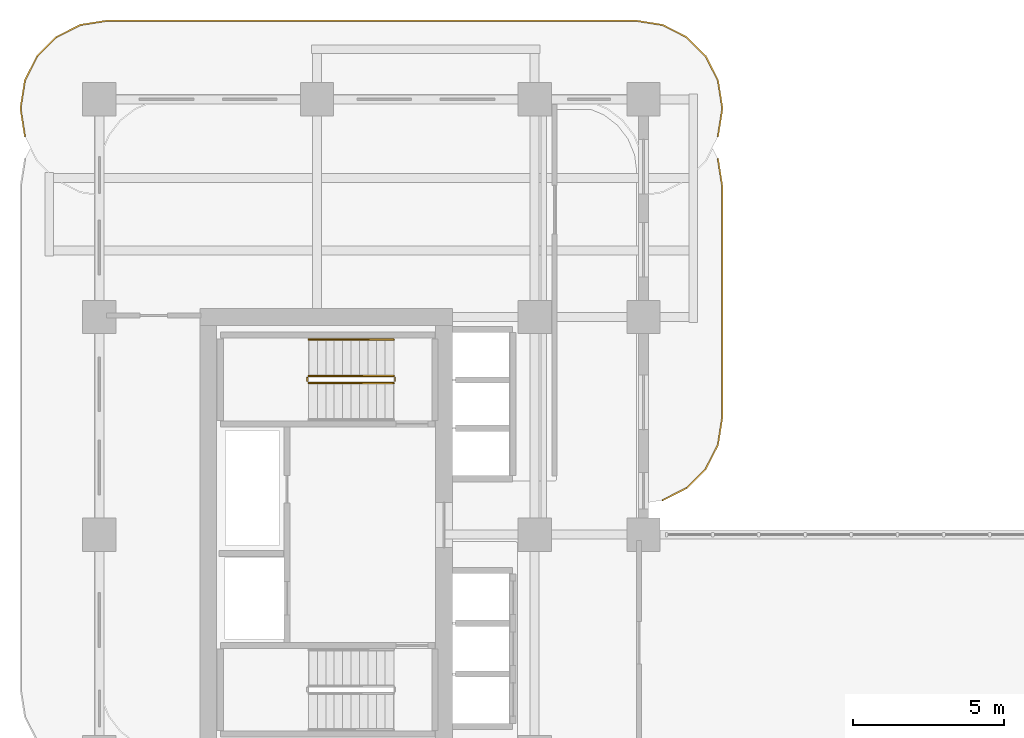
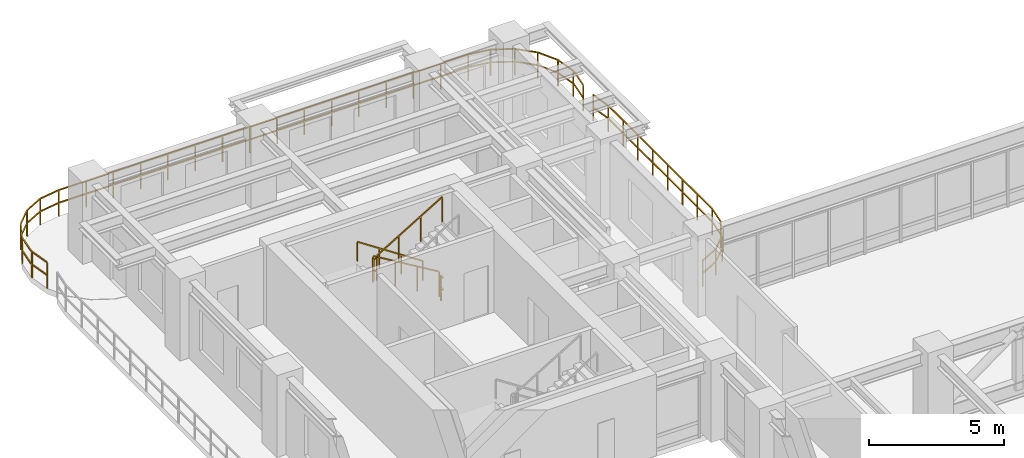
# One storey, part 21 of 21: 7 railings.
"""IFC4 building model written with IfcOpenShell, lengths in metres."""

from ifc_helpers import new_model, si_unit, derived_unit, direction, frame, origin, origin_2d, place, context, subcontext, project, spatial, rectangle, extrude, material, type_object, element, save


model = new_model("IFC4")

# Units and contexts
model_context = context("Model", 3, precision=1e-05, world=origin(), true_north=direction((0.0, 1.0)))
body_context = subcontext(model_context, "Body", "Model", "MODEL_VIEW")
ifc_project = project(units=[si_unit("LENGTHUNIT", "METRE"), si_unit("AREAUNIT", "SQUARE_METRE"), si_unit("VOLUMEUNIT", "CUBIC_METRE"), si_unit("PLANEANGLEUNIT", "RADIAN"), si_unit("MASSUNIT", "GRAM", prefix="KILO"), si_unit("THERMODYNAMICTEMPERATUREUNIT", "KELVIN"), si_unit("POWERUNIT", "WATT"), derived_unit("THERMALTRANSMITTANCEUNIT", [(si_unit("POWERUNIT", "WATT"), 1), (si_unit("AREAUNIT", "SQUARE_METRE"), -1), (si_unit("THERMODYNAMICTEMPERATUREUNIT", "KELVIN"), -1)])], contexts=[model_context])

# Site, building, storey
site_placement = place(None, origin())
site = spatial("IfcSite", under=ifc_project, at=site_placement, CompositionType="ELEMENT")
building_placement = place(site_placement, origin())
building = spatial("IfcBuilding", under=site, at=building_placement, Name="Zahravan Archway Hotel and Residences", CompositionType="ELEMENT")
storey_placement = place(building_placement, frame((0.0, 0.0, 69.39990234375)))
storey = spatial("IfcBuildingStorey", under=building, at=storey_placement, Name="L16", CompositionType="ELEMENT", Elevation=69.39990234375)

# Railings
ifc_material_1 = material(Name="Bronze & Laminated Glass Balustrade", Category="glass")
railing_type_1 = type_object("IfcRailingType", Name="RL-BAL-1200", PredefinedType="BALUSTRADE", material=ifc_material_1)
railing_1_placement = place(storey_placement, frame((-2.46044921875, 45.5693359375, 0.0)))
element("IfcRailing", 1, at=railing_1_placement, inside=storey, type_object=railing_type_1, Name="L16 Balustrade RL-SLB-BAL-L16-NB-1", PredefinedType="BALUSTRADE", context=body_context, shape_type="SweptSolid", body=[
    extrude(rectangle(XDim=0.048095703125, YDim=0.048095703125, at=origin_2d()), frame((0.0, 0.0, 1.17578125), z_axis=(-0.156623399917, 0.987658397726, 0.0), x_axis=(-0.987658397726, -0.156623399917, 0.0)), (0.0, 0.0, 1.0), 0.8916015625),
    extrude(rectangle(XDim=0.048095703125, YDim=0.048095703125, at=origin_2d()), frame((0.0, 0.0, 0.60009765625), z_axis=(-0.156623399917, 0.987658397726, 0.0), x_axis=(-0.987658397726, -0.156623399917, 0.0)), (0.0, 0.0, 1.0), 0.8916015625),
    extrude(rectangle(XDim=0.048095703125, YDim=0.048095703125, at=origin_2d()), frame((-0.1396484375, 0.880615234375, 1.17578125), z_axis=(0.0, 1.0, 0.0), x_axis=(-1.0, 0.0, 0.0)), (0.0, 0.0, 1.0), 0.10009765625),
    extrude(rectangle(XDim=0.048095703125, YDim=0.048095703125, at=origin_2d()), frame((-0.1396484375, 0.880615234375, 0.60009765625), z_axis=(0.0, 1.0, 0.0), x_axis=(-1.0, 0.0, 0.0)), (0.0, 0.0, 1.0), 0.10009765625),
    extrude(rectangle(XDim=0.048095703125, YDim=0.048095703125, at=origin_2d()), frame((-0.1396484375, 0.980712890625, 1.17578125), z_axis=(0.156623399917, 0.987658397726, 0.0), x_axis=(-0.987658397726, 0.156623399917, 0.0)), (0.0, 0.0, 1.0), 0.8916015625),
    extrude(rectangle(XDim=0.048095703125, YDim=0.048095703125, at=origin_2d()), frame((-0.1396484375, 0.980712890625, 0.60009765625), z_axis=(0.156623399917, 0.987658397726, 0.0), x_axis=(-0.987658397726, 0.156623399917, 0.0)), (0.0, 0.0, 1.0), 0.8916015625),
    extrude(rectangle(XDim=0.048095703125, YDim=0.048095703125, at=origin_2d()), frame((0.0, 1.861328125, 1.17578125), z_axis=(0.453991409995, 0.891006060389, 0.0), x_axis=(-0.891006060389, 0.453991409995, 0.0)), (0.0, 0.0, 1.0), 0.8916015625),
    extrude(rectangle(XDim=0.048095703125, YDim=0.048095703125, at=origin_2d()), frame((0.0, 1.861328125, 0.60009765625), z_axis=(0.453991409995, 0.891006060389, 0.0), x_axis=(-0.891006060389, 0.453991409995, 0.0)), (0.0, 0.0, 1.0), 0.8916015625),
    extrude(rectangle(XDim=0.048095703125, YDim=0.048095703125, at=origin_2d()), frame((0.40478515625, 2.65576171875, 1.17578125), z_axis=(0.706969864397, 0.70724367147, 0.0), x_axis=(-0.70724367147, 0.706969864397, 0.0)), (0.0, 0.0, 1.0), 0.8916015625),
    extrude(rectangle(XDim=0.048095703125, YDim=0.048095703125, at=origin_2d()), frame((0.40478515625, 2.65576171875, 0.60009765625), z_axis=(0.706969864397, 0.70724367147, 0.0), x_axis=(-0.70724367147, 0.706969864397, 0.0)), (0.0, 0.0, 1.0), 0.8916015625),
    extrude(rectangle(XDim=0.048095703125, YDim=0.048095703125, at=origin_2d()), frame((1.03515625, 3.286376953125, 1.17578125), z_axis=(0.891062476022, 0.45388067135, 0.0), x_axis=(-0.45388067135, 0.891062476022, 0.0)), (0.0, 0.0, 1.0), 0.891845703125),
    extrude(rectangle(XDim=0.048095703125, YDim=0.048095703125, at=origin_2d()), frame((1.03515625, 3.286376953125, 0.60009765625), z_axis=(0.891062476022, 0.45388067135, 0.0), x_axis=(-0.45388067135, 0.891062476022, 0.0)), (0.0, 0.0, 1.0), 0.891845703125),
    extrude(rectangle(XDim=0.048095703125, YDim=0.048095703125, at=origin_2d()), frame((1.829833984375, 3.691162109375, 1.17578125), z_axis=(0.987700720307, 0.156356282588, 0.0), x_axis=(-0.156356282588, 0.987700720307, 0.0)), (0.0, 0.0, 1.0), 0.8916015625),
    extrude(rectangle(XDim=0.048095703125, YDim=0.048095703125, at=origin_2d()), frame((1.829833984375, 3.691162109375, 0.60009765625), z_axis=(0.987700720307, 0.156356282588, 0.0), x_axis=(-0.156356282588, 0.987700720307, 0.0)), (0.0, 0.0, 1.0), 0.8916015625),
    extrude(rectangle(XDim=0.048095703125, YDim=0.048095703125, at=origin_2d()), frame((2.71044921875, 3.83056640625, 1.17578125), z_axis=(1.0, 0.0, 0.0), x_axis=(0.0, 1.0, 0.0)), (0.0, 0.0, 1.0), 17.5),
    extrude(rectangle(XDim=0.048095703125, YDim=0.048095703125, at=origin_2d()), frame((2.71044921875, 3.83056640625, 0.60009765625), z_axis=(1.0, 0.0, 0.0), x_axis=(0.0, 1.0, 0.0)), (0.0, 0.0, 1.0), 17.5),
    extrude(rectangle(XDim=0.048095703125, YDim=0.048095703125, at=origin_2d()), frame((20.21044921875, 3.83056640625, 1.17578125), z_axis=(0.987700720307, -0.156356282588, 0.0), x_axis=(0.156356282588, 0.987700720307, 0.0)), (0.0, 0.0, 1.0), 0.8916015625),
    extrude(rectangle(XDim=0.048095703125, YDim=0.048095703125, at=origin_2d()), frame((20.21044921875, 3.83056640625, 0.60009765625), z_axis=(0.987700720307, -0.156356282588, 0.0), x_axis=(0.156356282588, 0.987700720307, 0.0)), (0.0, 0.0, 1.0), 0.8916015625),
    extrude(rectangle(XDim=0.048095703125, YDim=0.048095703125, at=origin_2d()), frame((21.091064453125, 3.691162109375, 1.17578125), z_axis=(0.891062476022, -0.45388067135, 0.0), x_axis=(0.45388067135, 0.891062476022, 0.0)), (0.0, 0.0, 1.0), 0.891845703125),
    extrude(rectangle(XDim=0.048095703125, YDim=0.048095703125, at=origin_2d()), frame((21.091064453125, 3.691162109375, 0.60009765625), z_axis=(0.891062476022, -0.45388067135, 0.0), x_axis=(0.45388067135, 0.891062476022, 0.0)), (0.0, 0.0, 1.0), 0.891845703125),
    extrude(rectangle(XDim=0.048095703125, YDim=0.048095703125, at=origin_2d()), frame((21.8857421875, 3.286376953125, 1.17578125), z_axis=(0.706969864397, -0.70724367147, 0.0), x_axis=(0.70724367147, 0.706969864397, 0.0)), (0.0, 0.0, 1.0), 0.8916015625),
    extrude(rectangle(XDim=0.048095703125, YDim=0.048095703125, at=origin_2d()), frame((21.8857421875, 3.286376953125, 0.60009765625), z_axis=(0.706969864397, -0.70724367147, 0.0), x_axis=(0.70724367147, 0.706969864397, 0.0)), (0.0, 0.0, 1.0), 0.8916015625),
    extrude(rectangle(XDim=0.048095703125, YDim=0.048095703125, at=origin_2d()), frame((22.51611328125, 2.65576171875, 1.17578125), z_axis=(0.453991409995, -0.891006060389, 0.0), x_axis=(0.891006060389, 0.453991409995, 0.0)), (0.0, 0.0, 1.0), 0.8916015625),
    extrude(rectangle(XDim=0.048095703125, YDim=0.048095703125, at=origin_2d()), frame((22.51611328125, 2.65576171875, 0.60009765625), z_axis=(0.453991409995, -0.891006060389, 0.0), x_axis=(0.891006060389, 0.453991409995, 0.0)), (0.0, 0.0, 1.0), 0.8916015625),
    extrude(rectangle(XDim=0.048095703125, YDim=0.048095703125, at=origin_2d()), frame((22.9208984375, 1.861328125, 1.17578125), z_axis=(0.156623399917, -0.987658397726, 0.0), x_axis=(0.987658397726, 0.156623399917, 0.0)), (0.0, 0.0, 1.0), 0.8916015625),
    extrude(rectangle(XDim=0.048095703125, YDim=0.048095703125, at=origin_2d()), frame((22.9208984375, 1.861328125, 0.60009765625), z_axis=(0.156623399917, -0.987658397726, 0.0), x_axis=(0.987658397726, 0.156623399917, 0.0)), (0.0, 0.0, 1.0), 0.8916015625),
    extrude(rectangle(XDim=0.048095703125, YDim=0.048095703125, at=origin_2d()), frame((23.060546875, 0.980712890625, 1.17578125), z_axis=(0.0, -1.0, 0.0), x_axis=(1.0, 0.0, 0.0)), (0.0, 0.0, 1.0), 0.10009765625),
    extrude(rectangle(XDim=0.048095703125, YDim=0.048095703125, at=origin_2d()), frame((23.060546875, 0.980712890625, 0.60009765625), z_axis=(0.0, -1.0, 0.0), x_axis=(1.0, 0.0, 0.0)), (0.0, 0.0, 1.0), 0.10009765625),
    extrude(rectangle(XDim=0.048095703125, YDim=0.048095703125, at=origin_2d()), frame((23.060546875, 0.880615234375, 1.17578125), z_axis=(-0.156623399917, -0.987658397726, 0.0), x_axis=(0.987658397726, -0.156623399917, 0.0)), (0.0, 0.0, 1.0), 0.8916015625),
    extrude(rectangle(XDim=0.048095703125, YDim=0.048095703125, at=origin_2d()), frame((23.060546875, 0.880615234375, 0.60009765625), z_axis=(-0.156623399917, -0.987658397726, 0.0), x_axis=(0.987658397726, -0.156623399917, 0.0)), (0.0, 0.0, 1.0), 0.8916015625),
    extrude(rectangle(XDim=0.0419921875, YDim=0.0419921875, at=origin_2d()), origin(), (0.0, 0.0, 1.0), 1.15185546875),
    extrude(rectangle(XDim=0.0419921875, YDim=0.0419921875, at=origin_2d()), frame((-0.1396484375, 0.880615234375, 0.0)), (0.0, 0.0, 1.0), 1.15185546875),
    extrude(rectangle(XDim=0.0419921875, YDim=0.0419921875, at=origin_2d()), frame((0.0, 1.861328125, 0.0)), (0.0, 0.0, 1.0), 1.15185546875),
    extrude(rectangle(XDim=0.0419921875, YDim=0.0419921875, at=origin_2d()), frame((0.40478515625, 2.65576171875, 0.0)), (0.0, 0.0, 1.0), 1.15185546875),
    extrude(rectangle(XDim=0.0419921875, YDim=0.0419921875, at=origin_2d()), frame((1.03515625, 3.286376953125, 0.0)), (0.0, 0.0, 1.0), 1.15185546875),
    extrude(rectangle(XDim=0.0419921875, YDim=0.0419921875, at=origin_2d()), frame((1.829833984375, 3.691162109375, 0.0)), (0.0, 0.0, 1.0), 1.15185546875),
    extrude(rectangle(XDim=0.0419921875, YDim=0.0419921875, at=origin_2d()), frame((2.71044921875, 3.83056640625, 0.0)), (0.0, 0.0, 1.0), 1.15185546875),
    extrude(rectangle(XDim=0.0419921875, YDim=0.0419921875, at=origin_2d()), frame((3.877197265625, 3.83056640625, 0.0)), (0.0, 0.0, 1.0), 1.15185546875),
    extrude(rectangle(XDim=0.0419921875, YDim=0.0419921875, at=origin_2d()), frame((5.043701171875, 3.83056640625, 0.0)), (0.0, 0.0, 1.0), 1.15185546875),
    extrude(rectangle(XDim=0.0419921875, YDim=0.0419921875, at=origin_2d()), frame((6.21044921875, 3.83056640625, 0.0)), (0.0, 0.0, 1.0), 1.15185546875),
    extrude(rectangle(XDim=0.0419921875, YDim=0.0419921875, at=origin_2d()), frame((7.377197265625, 3.83056640625, 0.0)), (0.0, 0.0, 1.0), 1.15185546875),
    extrude(rectangle(XDim=0.0419921875, YDim=0.0419921875, at=origin_2d()), frame((8.543701171875, 3.83056640625, 0.0)), (0.0, 0.0, 1.0), 1.15185546875),
    extrude(rectangle(XDim=0.0419921875, YDim=0.0419921875, at=origin_2d()), frame((9.71044921875, 3.83056640625, 0.0)), (0.0, 0.0, 1.0), 1.15185546875),
    extrude(rectangle(XDim=0.0419921875, YDim=0.0419921875, at=origin_2d()), frame((10.877197265625, 3.83056640625, 0.0)), (0.0, 0.0, 1.0), 1.15185546875),
    extrude(rectangle(XDim=0.0419921875, YDim=0.0419921875, at=origin_2d()), frame((12.043701171875, 3.83056640625, 0.0)), (0.0, 0.0, 1.0), 1.15185546875),
    extrude(rectangle(XDim=0.0419921875, YDim=0.0419921875, at=origin_2d()), frame((13.21044921875, 3.83056640625, 0.0)), (0.0, 0.0, 1.0), 1.15185546875),
    extrude(rectangle(XDim=0.0419921875, YDim=0.0419921875, at=origin_2d()), frame((14.377197265625, 3.83056640625, 0.0)), (0.0, 0.0, 1.0), 1.15185546875),
    extrude(rectangle(XDim=0.0419921875, YDim=0.0419921875, at=origin_2d()), frame((15.543701171875, 3.83056640625, 0.0)), (0.0, 0.0, 1.0), 1.15185546875),
    extrude(rectangle(XDim=0.0419921875, YDim=0.0419921875, at=origin_2d()), frame((16.71044921875, 3.83056640625, 0.0)), (0.0, 0.0, 1.0), 1.15185546875),
    extrude(rectangle(XDim=0.0419921875, YDim=0.0419921875, at=origin_2d()), frame((17.877197265625, 3.83056640625, 0.0)), (0.0, 0.0, 1.0), 1.15185546875),
    extrude(rectangle(XDim=0.0419921875, YDim=0.0419921875, at=origin_2d()), frame((19.043701171875, 3.83056640625, 0.0)), (0.0, 0.0, 1.0), 1.15185546875),
    extrude(rectangle(XDim=0.0419921875, YDim=0.0419921875, at=origin_2d()), frame((20.21044921875, 3.83056640625, 0.0)), (0.0, 0.0, 1.0), 1.15185546875),
    extrude(rectangle(XDim=0.0419921875, YDim=0.0419921875, at=origin_2d()), frame((21.091064453125, 3.691162109375, 0.0)), (0.0, 0.0, 1.0), 1.15185546875),
    extrude(rectangle(XDim=0.0419921875, YDim=0.0419921875, at=origin_2d()), frame((21.8857421875, 3.286376953125, 0.0)), (0.0, 0.0, 1.0), 1.15185546875),
    extrude(rectangle(XDim=0.0419921875, YDim=0.0419921875, at=origin_2d()), frame((22.51611328125, 2.65576171875, 0.0)), (0.0, 0.0, 1.0), 1.15185546875),
    extrude(rectangle(XDim=0.0419921875, YDim=0.0419921875, at=origin_2d()), frame((22.9208984375, 1.861328125, 0.0)), (0.0, 0.0, 1.0), 1.15185546875),
    extrude(rectangle(XDim=0.0419921875, YDim=0.0419921875, at=origin_2d()), frame((23.060546875, 0.980712890625, 0.0)), (0.0, 0.0, 1.0), 1.15185546875),
    extrude(rectangle(XDim=0.0419921875, YDim=0.0419921875, at=origin_2d()), frame((22.9208984375, 0.0, 0.0)), (0.0, 0.0, 1.0), 1.15185546875),
])
railing_2_placement = place(storey_placement, frame((20.46044921875, 44.830810546875, 0.0)))
element("IfcRailing", 2, at=railing_2_placement, inside=storey, type_object=railing_type_1, Name="L16 Balustrade RL-SLB-BAL-L16-EB-1", PredefinedType="BALUSTRADE", context=body_context, shape_type="SweptSolid", body=[
    extrude(rectangle(XDim=0.048095703125, YDim=0.048095703125, at=origin_2d()), frame((0.0, 0.0, 1.17578125), z_axis=(0.156581054338, -0.98766511198, 0.0), x_axis=(0.98766511198, 0.156581054338, 0.0)), (0.0, 0.0, 1.0), 0.891845703125),
    extrude(rectangle(XDim=0.048095703125, YDim=0.048095703125, at=origin_2d()), frame((0.0, 0.0, 0.60009765625), z_axis=(0.156581054338, -0.98766511198, 0.0), x_axis=(0.98766511198, 0.156581054338, 0.0)), (0.0, 0.0, 1.0), 0.891845703125),
    extrude(rectangle(XDim=0.048095703125, YDim=0.048095703125, at=origin_2d()), frame((0.1396484375, -0.880859375, 1.17578125), z_axis=(0.0, -1.0, 0.0), x_axis=(1.0, 0.0, 0.0)), (0.0, 0.0, 1.0), 7.699951171875),
    extrude(rectangle(XDim=0.048095703125, YDim=0.048095703125, at=origin_2d()), frame((0.1396484375, -0.880859375, 0.60009765625), z_axis=(0.0, -1.0, 0.0), x_axis=(1.0, 0.0, 0.0)), (0.0, 0.0, 1.0), 7.699951171875),
    extrude(rectangle(XDim=0.048095703125, YDim=0.048095703125, at=origin_2d()), frame((0.1396484375, -8.580810546875, 1.17578125), z_axis=(-0.156623399917, -0.987658397726, 0.0), x_axis=(0.987658397726, -0.156623399917, 0.0)), (0.0, 0.0, 1.0), 0.8916015625),
    extrude(rectangle(XDim=0.048095703125, YDim=0.048095703125, at=origin_2d()), frame((0.1396484375, -8.580810546875, 0.60009765625), z_axis=(-0.156623399917, -0.987658397726, 0.0), x_axis=(0.987658397726, -0.156623399917, 0.0)), (0.0, 0.0, 1.0), 0.8916015625),
    extrude(rectangle(XDim=0.048095703125, YDim=0.048095703125, at=origin_2d()), frame((0.0, -9.46142578125, 1.17578125), z_axis=(-0.45388067135, -0.891062476022, 0.0), x_axis=(0.891062476022, -0.45388067135, 0.0)), (0.0, 0.0, 1.0), 0.891845703125),
    extrude(rectangle(XDim=0.048095703125, YDim=0.048095703125, at=origin_2d()), frame((0.0, -9.46142578125, 0.60009765625), z_axis=(-0.45388067135, -0.891062476022, 0.0), x_axis=(0.891062476022, -0.45388067135, 0.0)), (0.0, 0.0, 1.0), 0.891845703125),
    extrude(rectangle(XDim=0.048095703125, YDim=0.048095703125, at=origin_2d()), frame((-0.40478515625, -10.256103515625, 1.17578125), z_axis=(-0.707106781187, -0.707106781187, 0.0), x_axis=(0.707106781187, -0.707106781187, 0.0)), (0.0, 0.0, 1.0), 0.891357421875),
    extrude(rectangle(XDim=0.048095703125, YDim=0.048095703125, at=origin_2d()), frame((-0.40478515625, -10.256103515625, 0.60009765625), z_axis=(-0.707106781187, -0.707106781187, 0.0), x_axis=(0.707106781187, -0.707106781187, 0.0)), (0.0, 0.0, 1.0), 0.891357421875),
    extrude(rectangle(XDim=0.048095703125, YDim=0.048095703125, at=origin_2d()), frame((-1.03515625, -10.886474609375, 1.17578125), z_axis=(-0.891062476022, -0.45388067135, 0.0), x_axis=(0.45388067135, -0.891062476022, 0.0)), (0.0, 0.0, 1.0), 0.891845703125),
    extrude(rectangle(XDim=0.048095703125, YDim=0.048095703125, at=origin_2d()), frame((-1.03515625, -10.886474609375, 0.60009765625), z_axis=(-0.891062476022, -0.45388067135, 0.0), x_axis=(0.45388067135, -0.891062476022, 0.0)), (0.0, 0.0, 1.0), 0.891845703125),
    extrude(rectangle(XDim=0.0419921875, YDim=0.0419921875, at=origin_2d()), origin(), (0.0, 0.0, 1.0), 1.15185546875),
    extrude(rectangle(XDim=0.0419921875, YDim=0.0419921875, at=origin_2d()), frame((0.1396484375, -0.880859375, 0.0)), (0.0, 0.0, 1.0), 1.15185546875),
    extrude(rectangle(XDim=0.0419921875, YDim=0.0419921875, at=origin_2d()), frame((0.1396484375, -1.98095703125, 0.0)), (0.0, 0.0, 1.0), 1.15185546875),
    extrude(rectangle(XDim=0.0419921875, YDim=0.0419921875, at=origin_2d()), frame((0.1396484375, -3.080810546875, 0.0)), (0.0, 0.0, 1.0), 1.15185546875),
    extrude(rectangle(XDim=0.0419921875, YDim=0.0419921875, at=origin_2d()), frame((0.1396484375, -4.180908203125, 0.0)), (0.0, 0.0, 1.0), 1.15185546875),
    extrude(rectangle(XDim=0.0419921875, YDim=0.0419921875, at=origin_2d()), frame((0.1396484375, -5.28076171875, 0.0)), (0.0, 0.0, 1.0), 1.15185546875),
    extrude(rectangle(XDim=0.0419921875, YDim=0.0419921875, at=origin_2d()), frame((0.1396484375, -6.380859375, 0.0)), (0.0, 0.0, 1.0), 1.15185546875),
    extrude(rectangle(XDim=0.0419921875, YDim=0.0419921875, at=origin_2d()), frame((0.1396484375, -7.480712890625, 0.0)), (0.0, 0.0, 1.0), 1.15185546875),
    extrude(rectangle(XDim=0.0419921875, YDim=0.0419921875, at=origin_2d()), frame((0.1396484375, -8.580810546875, 0.0)), (0.0, 0.0, 1.0), 1.15185546875),
    extrude(rectangle(XDim=0.0419921875, YDim=0.0419921875, at=origin_2d()), frame((0.0, -9.46142578125, 0.0)), (0.0, 0.0, 1.0), 1.15185546875),
    extrude(rectangle(XDim=0.0419921875, YDim=0.0419921875, at=origin_2d()), frame((-0.40478515625, -10.256103515625, 0.0)), (0.0, 0.0, 1.0), 1.15185546875),
    extrude(rectangle(XDim=0.0419921875, YDim=0.0419921875, at=origin_2d()), frame((-1.03515625, -10.886474609375, 0.0)), (0.0, 0.0, 1.0), 1.15185546875),
    extrude(rectangle(XDim=0.0419921875, YDim=0.0419921875, at=origin_2d()), frame((-1.829833984375, -11.291259765625, 0.0)), (0.0, 0.0, 1.0), 1.15185546875),
])
ifc_material_2 = material(Name="Painted Tubular Steel", Category="steel")
railing_type_2 = type_object("IfcRailingType", Name="RL-STG-1150", PredefinedType="GUARDRAIL", material=ifc_material_2)
railing_3_placement = place(storey_placement, frame((9.72998046875, 37.64990234375, 0.168212890625)))
element("IfcRailing", 3, at=railing_3_placement, inside=storey, type_object=railing_type_2, Name="L16 ST-B2 stair guard 1", PredefinedType="GUARDRAIL", context=body_context, shape_type="SweptSolid", body=[
    extrude(rectangle(XDim=0.048095703125, YDim=0.048095703125, at=origin_2d()), frame((0.0, 0.0, 1.1259765625), z_axis=(-0.857242210791, 0.0, 0.514913383045), x_axis=(0.0, -1.0, 0.0)), (0.0, 0.0, 1.0), 3.266357421875),
    extrude(rectangle(XDim=0.0419921875, YDim=0.0419921875, at=origin_2d()), origin(), (0.0, 0.0, 1.0), 1.101806640625),
    extrude(rectangle(XDim=0.0419921875, YDim=0.0419921875, at=origin_2d()), frame((-0.933349609375, 0.0, 0.560546875)), (0.0, 0.0, 1.0), 1.101806640625),
    extrude(rectangle(XDim=0.0419921875, YDim=0.0419921875, at=origin_2d()), frame((-1.86669921875, 0.0, 1.121337890625)), (0.0, 0.0, 1.0), 1.101806640625),
    extrude(rectangle(XDim=0.0419921875, YDim=0.0419921875, at=origin_2d()), frame((-2.800048828125, 0.0, 1.681884765625)), (0.0, 0.0, 1.0), 1.101806640625),
])
railing_4_placement = place(storey_placement, frame((6.8798828125, 37.60009765625, 1.85009765625)))
element("IfcRailing", 4, at=railing_4_placement, inside=storey, type_object=railing_type_2, Name="L16 ST-B2 stair guard 2", PredefinedType="GUARDRAIL", context=body_context, shape_type="SweptSolid", body=[
    extrude(rectangle(XDim=0.048095703125, YDim=0.048095703125, at=origin_2d()), frame((0.0, 0.0, 1.1259765625), z_axis=(0.0, -1.0, 0.0), x_axis=(1.0, 0.0, 0.0)), (0.0, 0.0, 1.0), 0.14013671875),
    extrude(rectangle(XDim=0.048095703125, YDim=0.048095703125, at=origin_2d()), frame((0.0, 0.0, 0.574951171875), z_axis=(0.0, -1.0, 0.0), x_axis=(1.0, 0.0, 0.0)), (0.0, 0.0, 1.0), 0.14013671875),
    extrude(rectangle(XDim=0.0419921875, YDim=0.0419921875, at=origin_2d()), origin(), (0.0, 0.0, 1.0), 1.101806640625),
])
railing_5_placement = place(storey_placement, frame((6.929931640625, 37.409912109375, 2.018310546875)))
element("IfcRailing", 5, at=railing_5_placement, inside=storey, type_object=railing_type_2, Name="L16 ST-B2 stair guard 3", PredefinedType="GUARDRAIL", context=body_context, shape_type="SweptSolid", body=[
    extrude(rectangle(XDim=0.048095703125, YDim=0.048095703125, at=origin_2d()), frame((0.0, 0.0, 1.1259765625), z_axis=(0.857242210791, 0.0, 0.514913383045), x_axis=(0.0, 1.0, 0.0)), (0.0, 0.0, 1.0), 3.266357421875),
    extrude(rectangle(XDim=0.0419921875, YDim=0.0419921875, at=origin_2d()), origin(), (0.0, 0.0, 1.0), 1.101806640625),
    extrude(rectangle(XDim=0.0419921875, YDim=0.0419921875, at=origin_2d()), frame((0.933349609375, 0.0, 0.560546875)), (0.0, 0.0, 1.0), 1.101806640625),
    extrude(rectangle(XDim=0.0419921875, YDim=0.0419921875, at=origin_2d()), frame((1.86669921875, 0.0, 1.121337890625)), (0.0, 0.0, 1.0), 1.101806640625),
    extrude(rectangle(XDim=0.0419921875, YDim=0.0419921875, at=origin_2d()), frame((2.800048828125, 0.0, 1.681884765625)), (0.0, 0.0, 1.0), 1.101806640625),
])
railing_6_placement = place(storey_placement, frame((9.780029296875, 37.60009765625, 0.0)))
element("IfcRailing", 6, at=railing_6_placement, inside=storey, type_object=railing_type_2, Name="L16 ST-B2 stair guard 4", PredefinedType="GUARDRAIL", context=body_context, shape_type="SweptSolid", body=[
    extrude(rectangle(XDim=0.048095703125, YDim=0.048095703125, at=origin_2d()), frame((0.0, 0.0, 1.1259765625), z_axis=(0.0, -1.0, 0.0), x_axis=(1.0, 0.0, 0.0)), (0.0, 0.0, 1.0), 0.14013671875),
    extrude(rectangle(XDim=0.048095703125, YDim=0.048095703125, at=origin_2d()), frame((0.0, 0.0, 0.574951171875), z_axis=(0.0, -1.0, 0.0), x_axis=(1.0, 0.0, 0.0)), (0.0, 0.0, 1.0), 0.14013671875),
    extrude(rectangle(XDim=0.0419921875, YDim=0.0419921875, at=origin_2d()), origin(), (0.0, 0.0, 1.0), 1.101806640625),
])
ifc_material_3 = material(Name="Brushed Stainless Steel", Category="steel")
railing_type_3 = type_object("IfcRailingType", Name="RL-STH-900", PredefinedType="HANDRAIL", material=ifc_material_3)
railing_7_placement = place(storey_placement, frame((9.72998046875, 38.85009765625, 0.168212890625)))
element("IfcRailing", 7, at=railing_7_placement, inside=storey, type_object=railing_type_3, Name="L16 ST-B2 stair handrail 1", PredefinedType="HANDRAIL", context=body_context, shape_type="SweptSolid", body=[
    extrude(rectangle(XDim=0.048095703125, YDim=0.048095703125, at=origin_2d()), frame((0.0, 0.0, 0.8759765625), z_axis=(-0.834326358476, 0.0, 0.551270829586), x_axis=(0.0, -1.0, 0.0)), (0.0, 0.0, 1.0), 3.35595703125),
    extrude(rectangle(XDim=0.0419921875, YDim=0.0419921875, at=origin_2d()), origin(), (0.0, 0.0, 1.0), 0.851806640625),
    extrude(rectangle(XDim=0.0419921875, YDim=0.0419921875, at=origin_2d()), frame((-0.933349609375, 0.0, 0.61669921875)), (0.0, 0.0, 1.0), 0.851806640625),
    extrude(rectangle(XDim=0.0419921875, YDim=0.0419921875, at=origin_2d()), frame((-1.86669921875, 0.0, 1.2333984375)), (0.0, 0.0, 1.0), 0.851806640625),
    extrude(rectangle(XDim=0.0419921875, YDim=0.0419921875, at=origin_2d()), frame((-2.800048828125, 0.0, 1.85009765625)), (0.0, 0.0, 1.0), 0.851806640625),
])

save(model, "model.ifc")
